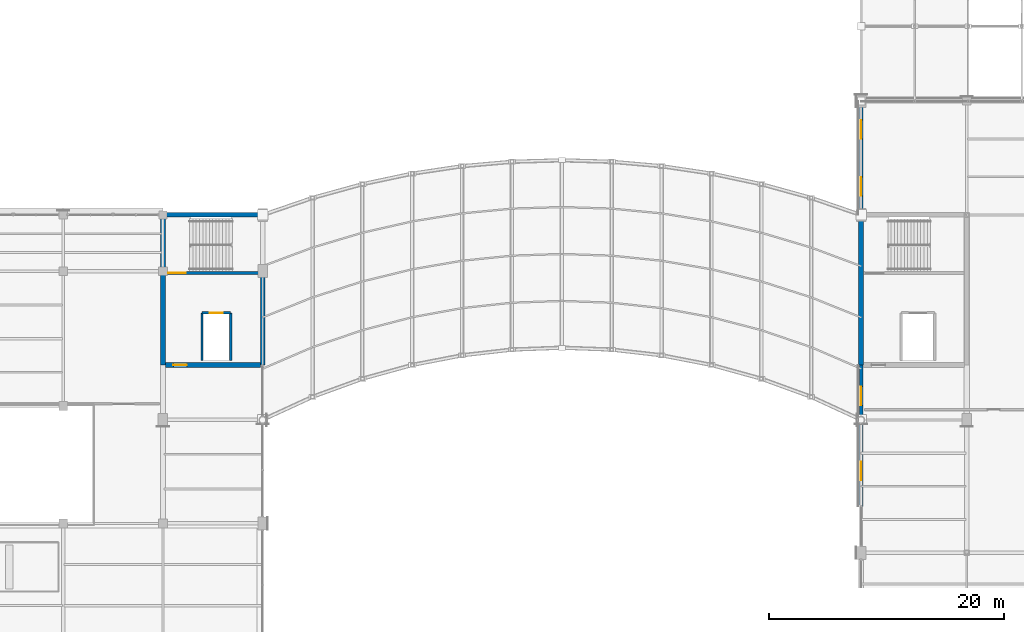
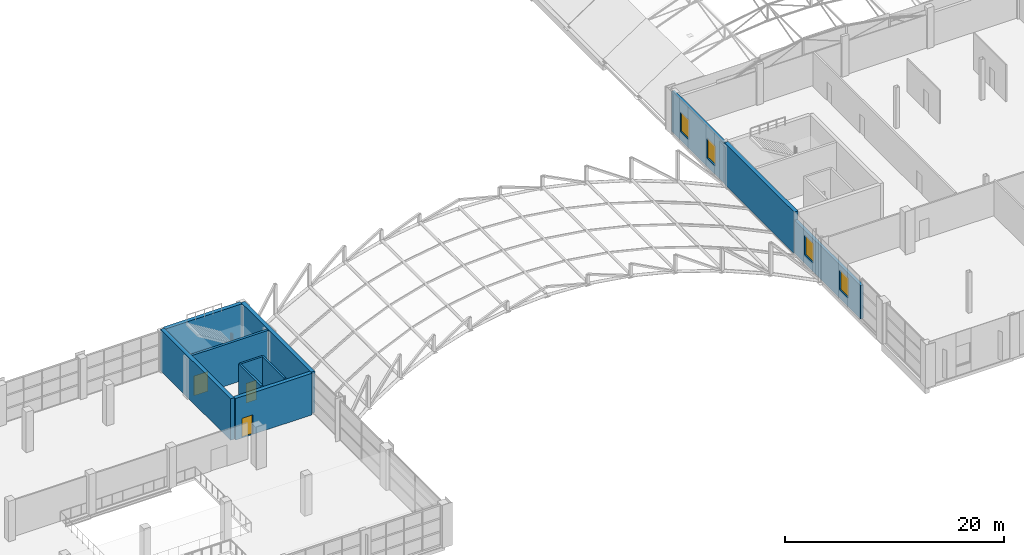
# One storey, part 84 of 101: 11 walls, 4 windows, 3 doors, 7 openings.
"""IFC4 building model written with IfcOpenShell, lengths in metres."""

import ifcopenshell
import ifcopenshell.guid

model = None  # the IFC model being written
_history = None  # IfcOwnerHistory: only IFC2X3 demands one
_inside = {}  # id of a spatial element -> (the spatial element, [elements in it])
_under = {}  # id of a project, library or spatial element -> (it, [spatial elements below it])
_declared = {}  # id of a project -> (the project, [libraries it declares])
_typed = {}  # id of a type object -> (the type object, [elements of that type])
_made_of = {}  # id of a material, layer set ... -> (it, [elements and type objects made of it])


def new_model(schema):
    """Start an empty IFC model of exactly this schema.

    Asked for "IFC4X3", IfcOpenShell would pick the latest addendum, in which some entities
    have other attributes; the version numbers below select the first issue.
    IFC2X3 requires an IfcOwnerHistory on every rooted entity: one is made here for all.
    """
    global model, _history
    if schema == "IFC4X3":
        model = ifcopenshell.file(schema_version=(4, 3, 0, 0))
    else:
        model = ifcopenshell.file(schema=schema)
    _inside.clear()
    _under.clear()
    _declared.clear()
    _typed.clear()
    _made_of.clear()
    _history = None
    if model.schema == "IFC2X3":
        org = make("IfcOrganization", Name="unknown")
        user = make(
            "IfcPersonAndOrganization",
            ThePerson=make("IfcPerson", FamilyName="unknown"),
            TheOrganization=org,
        )
        app = make(
            "IfcApplication",
            ApplicationDeveloper=org,
            Version="unknown",
            ApplicationFullName="unknown",
            ApplicationIdentifier="unknown",
        )
        _history = make(
            "IfcOwnerHistory",
            OwningUser=user,
            OwningApplication=app,
            ChangeAction="ADDED",
            CreationDate=0,
        )
    return model


def make(cls, **values):
    """One entity of the class cls with the attributes given. An attribute that is None is left unset."""
    return model.create_entity(
        cls, **{name: value for name, value in values.items() if value is not None}
    )


def rooted(cls, **values):
    """An entity with a GlobalId (a new one), such as an element, a storey or a relation."""
    return make(cls, GlobalId=ifcopenshell.guid.new(), OwnerHistory=_history, **values)


def si_unit(unit_type, name, prefix=None):
    """IfcSIUnit, for example si_unit("LENGTHUNIT", "METRE", prefix="MILLI")."""
    return make("IfcSIUnit", UnitType=unit_type, Prefix=prefix, Name=name)


def assignment(units):
    """IfcUnitAssignment: the units of a project."""
    return None if units is None else make("IfcUnitAssignment", Units=units)


def point(xyz):
    """IfcCartesianPoint."""
    return None if xyz is None else make("IfcCartesianPoint", Coordinates=xyz)


def direction(xyz):
    """IfcDirection."""
    return None if xyz is None else make("IfcDirection", DirectionRatios=xyz)


def frame(location, z_axis=None, x_axis=None):
    """IfcAxis2Placement3D, a coordinate frame: its origin and axes. An axis left out is left unset."""
    return make(
        "IfcAxis2Placement3D",
        Location=point(location),
        Axis=direction(z_axis),
        RefDirection=direction(x_axis),
    )


def frame_2d(location, x_axis=None):
    """IfcAxis2Placement2D, a coordinate frame in the plane: its origin and x axis."""
    return make(
        "IfcAxis2Placement2D", Location=point(location), RefDirection=direction(x_axis)
    )


def origin():
    """The frame at (0, 0, 0) with its axes left unset."""
    return frame((0.0, 0.0, 0.0))


def place(relative_to, where):
    """IfcLocalPlacement: puts the frame where relative to a parent placement (None: the world)."""
    return make(
        "IfcLocalPlacement", PlacementRelTo=relative_to, RelativePlacement=where
    )


def context(
    kind, dimensions, precision=None, world=None, true_north=None, identifier=None
):
    """IfcGeometricRepresentationContext, for example the 3D "Model" context."""
    return make(
        "IfcGeometricRepresentationContext",
        ContextIdentifier=identifier,
        ContextType=kind,
        CoordinateSpaceDimension=dimensions,
        Precision=precision,
        WorldCoordinateSystem=world,
        TrueNorth=true_north,
    )


def subcontext(parent, identifier, kind, view, scale=None):
    """IfcGeometricRepresentationSubContext, for example "Body" below "Model"."""
    return make(
        "IfcGeometricRepresentationSubContext",
        ContextIdentifier=identifier,
        ContextType=kind,
        ParentContext=parent,
        TargetScale=scale,
        TargetView=view,
    )


def project(units=None, contexts=None):
    """IfcProject with its units and contexts."""
    return rooted(
        "IfcProject",
        Name="project",
        RepresentationContexts=contexts,
        UnitsInContext=assignment(units),
    )


def spatial(cls, under=None, at=None, **own):
    """A site, building, storey or space (cls), placed at a placement, below another one or the project."""
    s = rooted(cls, ObjectPlacement=at, **own)
    if under is not None:
        _under.setdefault(under.id(), (under, []))[1].append(s)
    return s


def profile(cls, at=None, kind="AREA", **sizes):
    """A parametric profile (cls). Its sizes go by their IFC names, for example OverallWidth=200.0."""
    return make(cls, ProfileType=kind, Position=at, **sizes)


def rectangle(**sizes):
    """IfcRectangleProfileDef."""
    return profile("IfcRectangleProfileDef", **sizes)


def extrude(swept, where, along, depth):
    """IfcExtrudedAreaSolid: the profile swept, set in the frame where, extruded along a direction by depth."""
    return make(
        "IfcExtrudedAreaSolid",
        SweptArea=swept,
        Position=where,
        ExtrudedDirection=direction(along),
        Depth=depth,
    )


def shape(context_of_items, identifier, shape_type, items):
    """IfcShapeRepresentation: the items that make up one representation, for example the "Body"."""
    return make(
        "IfcShapeRepresentation",
        ContextOfItems=context_of_items,
        RepresentationIdentifier=identifier,
        RepresentationType=shape_type,
        Items=items,
    )


def material(Name=None, Category=None):
    """IfcMaterial."""
    return make("IfcMaterial", Name=Name, Category=Category)


def layer(
    of_material, thickness, ventilated=None, Name=None, Category=None, Priority=None
):
    """IfcMaterialLayer: one layer of a wall or slab, of a material (None: an air gap)."""
    return make(
        "IfcMaterialLayer",
        Material=of_material,
        LayerThickness=thickness,
        IsVentilated=ventilated,
        Name=Name,
        Category=Category,
        Priority=Priority,
    )


def layer_set(layers, Name=None):
    """IfcMaterialLayerSet."""
    return make("IfcMaterialLayerSet", MaterialLayers=layers, LayerSetName=Name)


def made_of(thing, what):
    """Note that an element or type object is made of a material, layer set ...; save() writes the relation."""
    if what is not None:
        _made_of.setdefault(what.id(), (what, []))[1].append(thing)
    return thing


def type_object(cls, material=None, **own):
    """A type object (cls), such as IfcWallType, which elements share."""
    return made_of(rooted(cls, **own), material)


def element(
    cls,
    number,
    at=None,
    inside=None,
    cuts=None,
    type_object=None,
    material=None,
    context=None,
    identifier="Body",
    shape_type=None,
    held_by="IfcProductDefinitionShape",
    body=None,
    shapes=None,
    **own,
):
    """One element of the class cls, such as IfcWall. Its Tag is "e" and its number.

    at: its placement. inside: the storey or other place that contains it. cuts: it is an
    opening in that element (IfcRelVoidsElement). A single representation is given by context,
    identifier, shape_type and body (its items); several are given by shapes. held_by: the class
    of the entity that holds the representations. save() writes the other relations.
    """
    e = rooted(cls, Tag="e%d" % number, ObjectPlacement=at, **own)
    if body is not None:
        shapes = [shape(context, identifier, shape_type, body)]
    if shapes is not None:
        e.Representation = make(held_by, Representations=shapes)
    if inside is not None:
        _inside.setdefault(inside.id(), (inside, []))[1].append(e)
    if cuts is not None:
        rooted(
            "IfcRelVoidsElement", RelatingBuildingElement=cuts, RelatedOpeningElement=e
        )
    if type_object is not None:
        _typed.setdefault(type_object.id(), (type_object, []))[1].append(e)
    return made_of(e, material)


def fill(opening, filler):
    """IfcRelFillsElement: the door or window that sits in an opening."""
    return rooted(
        "IfcRelFillsElement",
        RelatingOpeningElement=opening,
        RelatedBuildingElement=filler,
    )


def aggregate(whole, parts):
    """IfcRelAggregates: a whole, such as a stair, and the parts it consists of."""
    return rooted("IfcRelAggregates", RelatingObject=whole, RelatedObjects=parts)


def save(model, path):
    """Write the relations noted so far, then the file.

    IfcRelAggregates (storeys below a building ...), IfcRelContainedInSpatialStructure (elements
    in a storey), IfcRelDefinesByType, IfcRelAssociatesMaterial and IfcRelDeclares: one each for
    every whole, place, type object, material and project.
    """
    for whole, parts in _under.values():
        aggregate(whole, parts)
    for where, things in _inside.values():
        rooted(
            "IfcRelContainedInSpatialStructure",
            RelatedElements=things,
            RelatingStructure=where,
        )
    for kind, things in _typed.values():
        rooted("IfcRelDefinesByType", RelatedObjects=things, RelatingType=kind)
    for what, things in _made_of.values():
        rooted("IfcRelAssociatesMaterial", RelatedObjects=things, RelatingMaterial=what)
    for by, libraries in _declared.values():
        rooted("IfcRelDeclares", RelatingContext=by, RelatedDefinitions=libraries)
    model.write(path)


model = new_model("IFC4")

# Units and contexts
model_context = context("Model", 3, precision=1e-05, world=origin(), true_north=direction((0.0, 1.0)))
body_context = subcontext(model_context, "Body", "Model", "MODEL_VIEW")
ifc_project = project(units=[si_unit("LENGTHUNIT", "METRE"), si_unit("AREAUNIT", "SQUARE_METRE"), si_unit("VOLUMEUNIT", "CUBIC_METRE"), si_unit("PLANEANGLEUNIT", "RADIAN"), si_unit("MASSUNIT", "GRAM", prefix="KILO")], contexts=[model_context])

# Site, building, storey
site_placement = place(None, origin())
site = spatial("IfcSite", under=ifc_project, at=site_placement, CompositionType="ELEMENT")
building_placement = place(site_placement, origin())
building = spatial("IfcBuilding", under=site, at=building_placement, Name="Solvikara Media Centre", CompositionType="ELEMENT")
storey_placement = place(building_placement, frame((0.0, 0.0, 10.199951171875)))
storey = spatial("IfcBuildingStorey", under=building, at=storey_placement, Name="L02", CompositionType="ELEMENT", Elevation=10.199951171875)

# Walls
ifc_material_1 = material(Name="Concrete fc' 45 MPa (C45/55)", Category="concrete")
ifc_layer_1 = layer(ifc_material_1, 0.39990234375)
ifc_layer_set_1 = layer_set([ifc_layer_1], Name="Concrete fc' 45 MPa (C45/55)")
wall_type_1 = type_object("IfcWallType", Name="WT-02", PredefinedType="SHEAR", material=ifc_layer_set_1)
for number, where, z_axis, x_axis, name in (
    (1, (68.0, 24.0, 0.0), (0.0, 0.0, 1.0), (0.0, 1.0, 0.0), "CW-C3-L02-W"),
    (2, (76.5, 24.0, 0.0), (0.0, 0.0, 1.0), (0.0, 1.0, 0.0), "CW-C3-L02-E"),
):
    element("IfcWall", number, at=place(storey_placement, frame(where, z_axis=z_axis, x_axis=x_axis)), inside=storey, type_object=wall_type_1, Name=name, PredefinedType="SHEAR", context=body_context, shape_type="SweptSolid", body=[
        extrude(rectangle(XDim=12.800048828125, YDim=0.39990234375, at=frame_2d((6.39990234375, 0.0))), origin(), (0.0, 0.0, 1.0), 4.64013671875),
    ])
wall_1_placement = place(storey_placement, frame((68.199951171875, 36.800048828125, 0.0), z_axis=(0.0, 0.0, 1.0), x_axis=(1.0, 0.0, 0.0)))
element("IfcWall", 3, at=wall_1_placement, inside=storey, type_object=wall_type_1, Name="CW-C3-L02-N", PredefinedType="SHEAR", context=body_context, shape_type="SweptSolid", body=[
    extrude(rectangle(XDim=8.10009765625, YDim=0.39990234375, at=frame_2d((4.050048828125, 0.0))), origin(), (0.0, 0.0, 1.0), 4.64013671875),
])

# Wall, opening, door
wall_2_placement = place(storey_placement, frame((68.199951171875, 24.0, 0.0), z_axis=(0.0, 0.0, 1.0), x_axis=(1.0, 0.0, 0.0)))
wall_2 = element("IfcWall", 4, at=wall_2_placement, inside=storey, type_object=wall_type_1, Name="CW-C3-L02-S", PredefinedType="SHEAR", context=body_context, shape_type="SweptSolid", body=[
    extrude(rectangle(XDim=8.10009765625, YDim=0.39990234375, at=frame_2d((4.050048828125, 0.0))), origin(), (0.0, 0.0, 1.0), 4.64013671875),
])
opening_1_placement = place(wall_2_placement, frame((0.699951171875, 0.0, 0.0)))
opening_1 = element("IfcOpeningElement", 5, at=opening_1_placement, cuts=wall_2, Name="Opening D-C3-L02-LOB", PredefinedType="OPENING", context=body_context, shape_type="SweptSolid", body=[
    extrude(rectangle(XDim=1.14990234375, YDim=2.199951171875, at=frame_2d((0.574951171875, 1.10009765625))), frame((0.0, 0.2119140625, 0.0), z_axis=(0.0, -1.0, 0.0), x_axis=(1.0, 0.0, 0.0)), (0.0, 0.0, 1.0), 0.423828125),
])
ifc_material_2 = material(Name="Insulated fire-rated steel door leaf", Category="steel")
door_type_1 = type_object("IfcDoorType", Name="DT-09", OperationType="NOTDEFINED", PredefinedType="DOOR", material=ifc_material_2)
door_1_placement = place(opening_1_placement, frame((1.14990234375, 0.0, 0.0), z_axis=(0.0, 0.0, 1.0), x_axis=(-1.0, 0.0, 0.0)))
door_1 = element("IfcDoor", 6, at=door_1_placement, inside=storey, type_object=door_type_1, Name="D-C3-L02-LOB", OperationType="SINGLE_SWING_RIGHT", OverallHeight=2.199951171875, OverallWidth=1.14990234375, PredefinedType="DOOR", context=body_context, shape_type="SweptSolid", body=[
    extrude(rectangle(XDim=1.14990234375, YDim=2.199951171875, at=frame_2d((0.574951171875, 1.10009765625))), frame((0.0, 0.02490234375, 0.0), z_axis=(0.0, -1.0, 0.0), x_axis=(1.0, 0.0, 0.0)), (0.0, 0.0, 1.0), 0.050048828125),
])
fill(opening_1, door_1)

# Wall
wall_3_placement = place(storey_placement, frame((127.5, 24.0, 0.0), z_axis=(0.0, 0.0, 1.0), x_axis=(0.0, 1.0, 0.0)))
element("IfcWall", 7, at=wall_3_placement, inside=storey, type_object=wall_type_1, Name="CW-C4-L02-W", PredefinedType="SHEAR", context=body_context, shape_type="SweptSolid", body=[
    extrude(rectangle(XDim=12.800048828125, YDim=0.39990234375, at=frame_2d((6.39990234375, 0.0))), origin(), (0.0, 0.0, 1.0), 4.64013671875),
])

# Wall, opening, door
ifc_layer_2 = layer(ifc_material_1, 0.25)
ifc_layer_set_2 = layer_set([ifc_layer_2], Name="Concrete fc' 45 MPa (C45/55)")
wall_type_2 = type_object("IfcWallType", Name="WT-07", PredefinedType="STANDARD", material=ifc_layer_set_2)
wall_4_placement = place(storey_placement, frame((68.25, 31.85009765625, 0.0), z_axis=(0.0, 0.0, 1.0), x_axis=(1.0, 0.0, 0.0)))
wall_4 = element("IfcWall", 8, at=wall_4_placement, inside=storey, type_object=wall_type_2, Name="CW-C3-L02-SD", PredefinedType="STANDARD", context=body_context, shape_type="SweptSolid", body=[
    extrude(rectangle(XDim=8.0, YDim=0.25, at=frame_2d((4.0, 0.0))), origin(), (0.0, 0.0, 1.0), 4.64013671875),
])
opening_2_placement = place(wall_4_placement, frame((0.199951171875, 0.0, 0.0)))
opening_2 = element("IfcOpeningElement", 9, at=opening_2_placement, cuts=wall_4, Name="Opening D-C3-L02-ST", PredefinedType="OPENING", context=body_context, shape_type="SweptSolid", body=[
    extrude(rectangle(XDim=1.5, YDim=2.199951171875, at=frame_2d((0.75, 1.10009765625))), frame((0.0, 0.136962890625, 0.0), z_axis=(0.0, -1.0, 0.0), x_axis=(1.0, 0.0, 0.0)), (0.0, 0.0, 1.0), 0.27392578125),
])
door_type_2 = type_object("IfcDoorType", Name="DT-08", OperationType="DOUBLE_DOOR_SINGLE_SWING", PredefinedType="DOOR", material=ifc_material_2)
door_2_placement = place(opening_2_placement, frame((1.5, 0.0, 0.0), z_axis=(0.0, 0.0, 1.0), x_axis=(-1.0, 0.0, 0.0)))
door_2 = element("IfcDoor", 10, at=door_2_placement, inside=storey, type_object=door_type_2, Name="D-C3-L02-ST", OperationType="DOUBLE_DOOR_SINGLE_SWING", OverallHeight=2.199951171875, OverallWidth=1.5, PredefinedType="DOOR", context=body_context, shape_type="SweptSolid", body=[
    extrude(rectangle(XDim=1.5, YDim=2.199951171875, at=frame_2d((0.75, 1.10009765625))), frame((0.0, 0.02490234375, 0.0), z_axis=(0.0, -1.0, 0.0), x_axis=(1.0, 0.0, 0.0)), (0.0, 0.0, 1.0), 0.050048828125),
])
fill(opening_2, door_2)

# Wall, openings, windows
ifc_material_3 = material(Name="Precast concrete fc' 40 MPa (C40/50)", Category="concrete")
ifc_layer_3 = layer(ifc_material_3, 0.31005859375)
ifc_layer_set_3 = layer_set([ifc_layer_3], Name="Precast concrete fc' 40 MPa (C40/50)")
wall_type_3 = type_object("IfcWallType", Name="WT-10", PredefinedType="STANDARD", material=ifc_layer_set_3)
wall_5_placement = place(storey_placement, frame((127.5, 11.9599609375, 0.0), z_axis=(0.0, 0.0, 1.0), x_axis=(0.0, 1.0, 0.0)))
wall_5 = element("IfcWall", 11, at=wall_5_placement, inside=storey, type_object=wall_type_3, Name="EW-L02-V5-W", PredefinedType="STANDARD", context=body_context, shape_type="SweptSolid", body=[
    extrude(rectangle(XDim=12.0400390625, YDim=0.31005859375, at=frame_2d((6.02001953125, 0.0))), origin(), (0.0, 0.0, 1.0), 3.719970703125),
])
opening_3_placement = place(wall_5_placement, frame((2.2099609375, 0.0, 1.0)))
opening_3 = element("IfcOpeningElement", 12, at=opening_3_placement, cuts=wall_5, Name="Opening W-L02-V5W-W01", PredefinedType="OPENING", context=body_context, shape_type="SweptSolid", body=[
    extrude(rectangle(XDim=1.60009765625, YDim=2.199951171875, at=frame_2d((0.800048828125, 1.10009765625))), frame((0.0, 0.1669921875, 0.0), z_axis=(0.0, -1.0, 0.0), x_axis=(1.0, 0.0, 0.0)), (0.0, 0.0, 1.0), 0.333984375),
])
opening_4_placement = place(wall_5_placement, frame((8.610107421875, 0.0, 1.0)))
opening_4 = element("IfcOpeningElement", 13, at=opening_4_placement, cuts=wall_5, Name="Opening W-L02-V5W-W02", PredefinedType="OPENING", context=body_context, shape_type="SweptSolid", body=[
    extrude(rectangle(XDim=1.60009765625, YDim=2.199951171875, at=frame_2d((0.800048828125, 1.10009765625))), frame((0.0, 0.1669921875, 0.0), z_axis=(0.0, -1.0, 0.0), x_axis=(1.0, 0.0, 0.0)), (0.0, 0.0, 1.0), 0.333984375),
])
ifc_material_4 = material(Name="Double-glazed low-E architectural glass", Category="glass")
window_type = type_object("IfcWindowType", Name="WN-07", PartitioningType="SINGLE_PANEL", PredefinedType="WINDOW", material=ifc_material_4)
window_1_placement = place(opening_3_placement, origin())
window_1 = element("IfcWindow", 14, at=window_1_placement, inside=storey, type_object=window_type, Name="W-L02-V5W-W01", OverallHeight=2.199951171875, OverallWidth=1.60009765625, PartitioningType="SINGLE_PANEL", PredefinedType="WINDOW", context=body_context, shape_type="SweptSolid", body=[
    extrude(rectangle(XDim=1.60009765625, YDim=2.199951171875, at=frame_2d((0.800048828125, 1.10009765625))), frame((0.0, 0.030029296875, 0.0), z_axis=(0.0, -1.0, 0.0), x_axis=(1.0, 0.0, 0.0)), (0.0, 0.0, 1.0), 0.06005859375),
])
fill(opening_3, window_1)
window_2_placement = place(opening_4_placement, origin())
window_2 = element("IfcWindow", 15, at=window_2_placement, inside=storey, type_object=window_type, Name="W-L02-V5W-W02", OverallHeight=2.199951171875, OverallWidth=1.60009765625, PartitioningType="SINGLE_PANEL", PredefinedType="WINDOW", context=body_context, shape_type="SweptSolid", body=[
    extrude(rectangle(XDim=1.60009765625, YDim=2.199951171875, at=frame_2d((0.800048828125, 1.10009765625))), frame((0.0, 0.030029296875, 0.0), z_axis=(0.0, -1.0, 0.0), x_axis=(1.0, 0.0, 0.0)), (0.0, 0.0, 1.0), 0.06005859375),
])
fill(opening_4, window_2)

wall_6_placement = place(storey_placement, frame((127.5, 36.800048828125, 0.0), z_axis=(0.0, 0.0, 1.0), x_axis=(0.0, 1.0, 0.0)))
wall_6 = element("IfcWall", 16, at=wall_6_placement, inside=storey, type_object=wall_type_3, Name="EW-L02-V5-WN", PredefinedType="STANDARD", context=body_context, shape_type="SweptSolid", body=[
    extrude(rectangle(XDim=9.699951171875, YDim=0.31005859375, at=frame_2d((4.85009765625, 0.0))), origin(), (0.0, 0.0, 1.0), 4.5),
])
opening_5_placement = place(wall_6_placement, frame((1.625, 0.0, 1.0)))
opening_5 = element("IfcOpeningElement", 17, at=opening_5_placement, cuts=wall_6, Name="Opening W-L02-V5WN-W01", PredefinedType="OPENING", context=body_context, shape_type="SweptSolid", body=[
    extrude(rectangle(XDim=1.60009765625, YDim=2.199951171875, at=frame_2d((0.800048828125, 1.10009765625))), frame((0.0, 0.1669921875, 0.0), z_axis=(0.0, -1.0, 0.0), x_axis=(1.0, 0.0, 0.0)), (0.0, 0.0, 1.0), 0.333984375),
])
opening_6_placement = place(wall_6_placement, frame((6.47509765625, 0.0, 1.0)))
opening_6 = element("IfcOpeningElement", 18, at=opening_6_placement, cuts=wall_6, Name="Opening W-L02-V5WN-W02", PredefinedType="OPENING", context=body_context, shape_type="SweptSolid", body=[
    extrude(rectangle(XDim=1.60009765625, YDim=2.199951171875, at=frame_2d((0.800048828125, 1.10009765625))), frame((0.0, 0.1669921875, 0.0), z_axis=(0.0, -1.0, 0.0), x_axis=(1.0, 0.0, 0.0)), (0.0, 0.0, 1.0), 0.333984375),
])
window_3_placement = place(opening_5_placement, origin())
window_3 = element("IfcWindow", 19, at=window_3_placement, inside=storey, type_object=window_type, Name="W-L02-V5WN-W01", OverallHeight=2.199951171875, OverallWidth=1.60009765625, PartitioningType="SINGLE_PANEL", PredefinedType="WINDOW", context=body_context, shape_type="SweptSolid", body=[
    extrude(rectangle(XDim=1.60009765625, YDim=2.199951171875, at=frame_2d((0.800048828125, 1.10009765625))), frame((0.0, 0.030029296875, 0.0), z_axis=(0.0, -1.0, 0.0), x_axis=(1.0, 0.0, 0.0)), (0.0, 0.0, 1.0), 0.06005859375),
])
fill(opening_5, window_3)
window_4_placement = place(opening_6_placement, origin())
window_4 = element("IfcWindow", 20, at=window_4_placement, inside=storey, type_object=window_type, Name="W-L02-V5WN-W02", OverallHeight=2.199951171875, OverallWidth=1.60009765625, PartitioningType="SINGLE_PANEL", PredefinedType="WINDOW", context=body_context, shape_type="SweptSolid", body=[
    extrude(rectangle(XDim=1.60009765625, YDim=2.199951171875, at=frame_2d((0.800048828125, 1.10009765625))), frame((0.0, 0.030029296875, 0.0), z_axis=(0.0, -1.0, 0.0), x_axis=(1.0, 0.0, 0.0)), (0.0, 0.0, 1.0), 0.06005859375),
])
fill(opening_6, window_4)

# Walls
ifc_material_5 = material(Name="Fire-rated gypsum and mineral-wool shaft wall assembly")
ifc_layer_4 = layer(ifc_material_5, 0.2099609375)
ifc_layer_set_4 = layer_set([ifc_layer_4], Name="Fire-rated gypsum and mineral-wool shaft wall assembly")
wall_type_4 = type_object("IfcWallType", Name="WT-17", PredefinedType="PARTITIONING", material=ifc_layer_set_4)
for number, where, z_axis, x_axis, name in (
    (21, (71.330078125, 24.39990234375, 0.0), (0.0, 0.0, 1.0), (0.0, 1.0, 0.0), "LW-LF-FF2-L02-W"),
    (22, (73.77001953125, 24.39990234375, 0.0), (0.0, 0.0, 1.0), (0.0, 1.0, 0.0), "LW-LF-FF2-L02-E"),
):
    element("IfcWall", number, at=place(storey_placement, frame(where, z_axis=z_axis, x_axis=x_axis)), inside=storey, type_object=wall_type_4, Name=name, PredefinedType="PARTITIONING", context=body_context, shape_type="SweptSolid", body=[
        extrude(rectangle(XDim=4.050048828125, YDim=0.2099609375, at=frame_2d((2.02490234375, 0.0))), origin(), (0.0, 0.0, 1.0), 4.64013671875),
    ])

# Wall, opening, door
wall_7_placement = place(storey_placement, frame((71.330078125, 28.449951171875, 0.0), z_axis=(0.0, 0.0, 1.0), x_axis=(1.0, 0.0, 0.0)))
wall_7 = element("IfcWall", 23, at=wall_7_placement, inside=storey, type_object=wall_type_4, Name="LW-LF-FF2-L02-N", PredefinedType="PARTITIONING", context=body_context, shape_type="SweptSolid", body=[
    extrude(rectangle(XDim=2.43994140625, YDim=0.2099609375, at=frame_2d((1.219970703125, 0.0))), origin(), (0.0, 0.0, 1.0), 4.64013671875),
])
opening_7_placement = place(wall_7_placement, frame((0.669921875, 0.0, 0.0)))
opening_7 = element("IfcOpeningElement", 24, at=opening_7_placement, cuts=wall_7, Name="Opening LD-LF-FF2-L02", PredefinedType="OPENING", context=body_context, shape_type="SweptSolid", body=[
    extrude(rectangle(XDim=1.10009765625, YDim=2.199951171875, at=frame_2d((0.550048828125, 1.10009765625))), frame((0.0, 0.116943359375, 0.0), z_axis=(0.0, -1.0, 0.0), x_axis=(1.0, 0.0, 0.0)), (0.0, 0.0, 1.0), 0.23388671875),
])
door_type_3 = type_object("IfcDoorType", Name="LD-01", OperationType="DOUBLE_DOOR_SLIDING", PredefinedType="DOOR", material=ifc_material_2)
door_3_placement = place(opening_7_placement, origin())
door_3 = element("IfcDoor", 25, at=door_3_placement, inside=storey, type_object=door_type_3, Name="LD-LF-FF2-L02", OperationType="DOUBLE_DOOR_SLIDING", OverallHeight=2.199951171875, OverallWidth=1.10009765625, PredefinedType="DOOR", context=body_context, shape_type="SweptSolid", body=[
    extrude(rectangle(XDim=1.10009765625, YDim=2.199951171875, at=frame_2d((0.550048828125, 1.10009765625))), frame((0.0, 0.02490234375, 0.0), z_axis=(0.0, -1.0, 0.0), x_axis=(1.0, 0.0, 0.0)), (0.0, 0.0, 1.0), 0.050048828125),
])
fill(opening_7, door_3)

save(model, "model.ifc")
